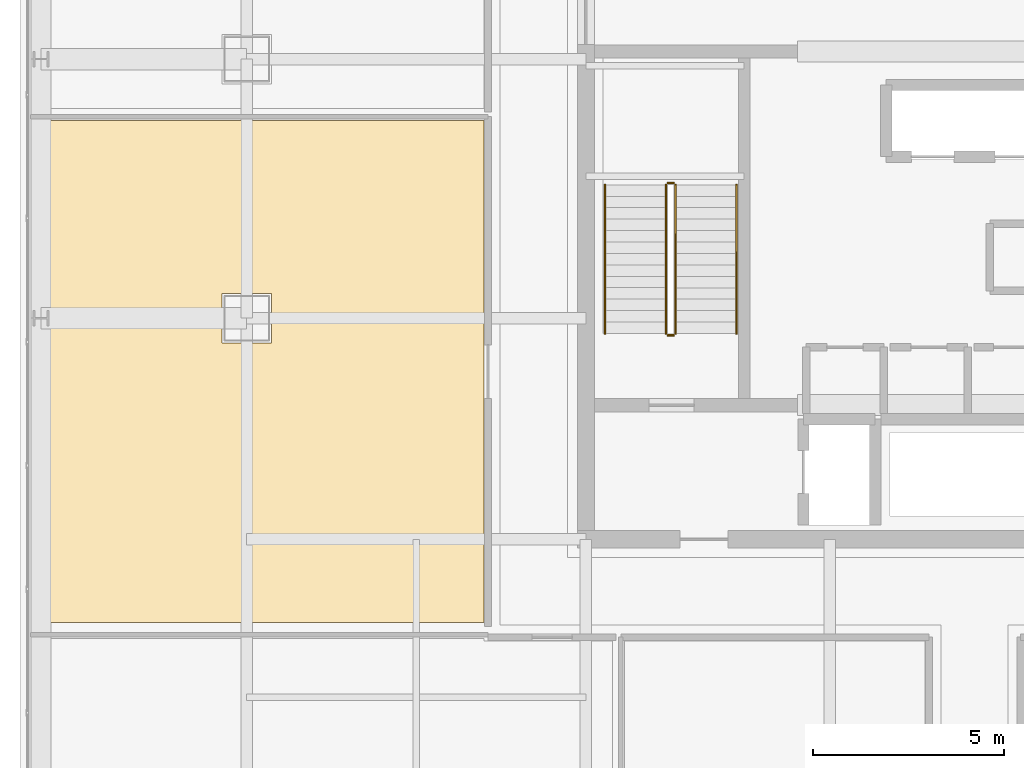
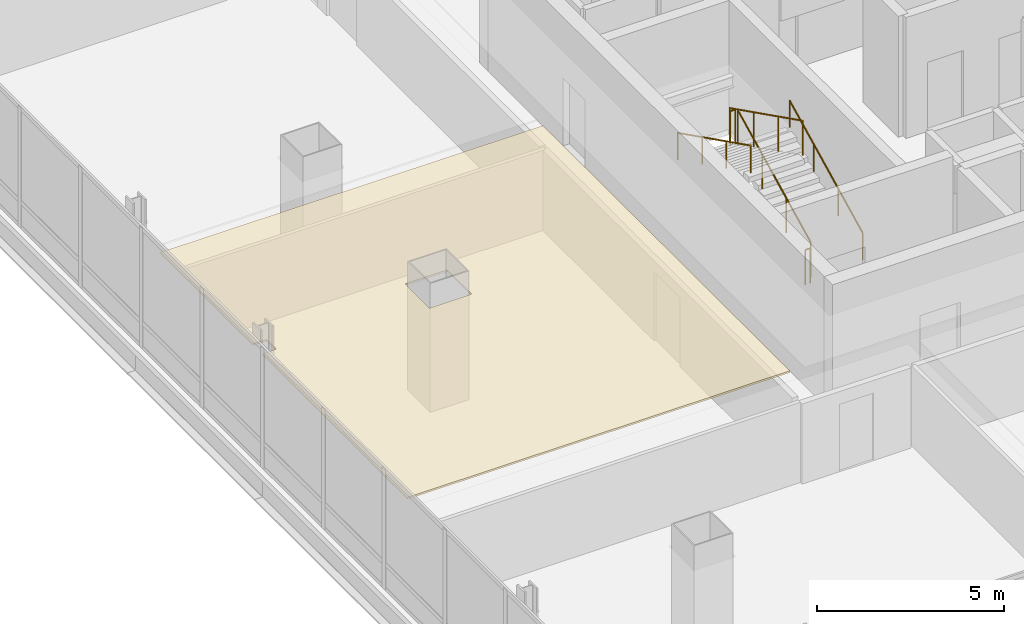
# One storey, part 41 of 46: 6 railings, 1 covering.
"""IFC4 building model written with IfcOpenShell, lengths in metres."""

import ifcopenshell
import ifcopenshell.guid

model = None  # the IFC model being written
_history = None  # IfcOwnerHistory: only IFC2X3 demands one
_inside = {}  # id of a spatial element -> (the spatial element, [elements in it])
_under = {}  # id of a project, library or spatial element -> (it, [spatial elements below it])
_declared = {}  # id of a project -> (the project, [libraries it declares])
_typed = {}  # id of a type object -> (the type object, [elements of that type])
_made_of = {}  # id of a material, layer set ... -> (it, [elements and type objects made of it])


def new_model(schema):
    """Start an empty IFC model of exactly this schema.

    Asked for "IFC4X3", IfcOpenShell would pick the latest addendum, in which some entities
    have other attributes; the version numbers below select the first issue.
    IFC2X3 requires an IfcOwnerHistory on every rooted entity: one is made here for all.
    """
    global model, _history
    if schema == "IFC4X3":
        model = ifcopenshell.file(schema_version=(4, 3, 0, 0))
    else:
        model = ifcopenshell.file(schema=schema)
    _inside.clear()
    _under.clear()
    _declared.clear()
    _typed.clear()
    _made_of.clear()
    _history = None
    if model.schema == "IFC2X3":
        org = make("IfcOrganization", Name="unknown")
        user = make(
            "IfcPersonAndOrganization",
            ThePerson=make("IfcPerson", FamilyName="unknown"),
            TheOrganization=org,
        )
        app = make(
            "IfcApplication",
            ApplicationDeveloper=org,
            Version="unknown",
            ApplicationFullName="unknown",
            ApplicationIdentifier="unknown",
        )
        _history = make(
            "IfcOwnerHistory",
            OwningUser=user,
            OwningApplication=app,
            ChangeAction="ADDED",
            CreationDate=0,
        )
    return model


def make(cls, **values):
    """One entity of the class cls with the attributes given. An attribute that is None is left unset."""
    return model.create_entity(
        cls, **{name: value for name, value in values.items() if value is not None}
    )


def rooted(cls, **values):
    """An entity with a GlobalId (a new one), such as an element, a storey or a relation."""
    return make(cls, GlobalId=ifcopenshell.guid.new(), OwnerHistory=_history, **values)


def si_unit(unit_type, name, prefix=None):
    """IfcSIUnit, for example si_unit("LENGTHUNIT", "METRE", prefix="MILLI")."""
    return make("IfcSIUnit", UnitType=unit_type, Prefix=prefix, Name=name)


def assignment(units):
    """IfcUnitAssignment: the units of a project."""
    return None if units is None else make("IfcUnitAssignment", Units=units)


def point(xyz):
    """IfcCartesianPoint."""
    return None if xyz is None else make("IfcCartesianPoint", Coordinates=xyz)


def direction(xyz):
    """IfcDirection."""
    return None if xyz is None else make("IfcDirection", DirectionRatios=xyz)


def frame(location, z_axis=None, x_axis=None):
    """IfcAxis2Placement3D, a coordinate frame: its origin and axes. An axis left out is left unset."""
    return make(
        "IfcAxis2Placement3D",
        Location=point(location),
        Axis=direction(z_axis),
        RefDirection=direction(x_axis),
    )


def frame_2d(location, x_axis=None):
    """IfcAxis2Placement2D, a coordinate frame in the plane: its origin and x axis."""
    return make(
        "IfcAxis2Placement2D", Location=point(location), RefDirection=direction(x_axis)
    )


def origin():
    """The frame at (0, 0, 0) with its axes left unset."""
    return frame((0.0, 0.0, 0.0))


def origin_2d():
    """The frame at (0, 0) in the plane with its x axis left unset."""
    return frame_2d((0.0, 0.0))


def place(relative_to, where):
    """IfcLocalPlacement: puts the frame where relative to a parent placement (None: the world)."""
    return make(
        "IfcLocalPlacement", PlacementRelTo=relative_to, RelativePlacement=where
    )


def context(
    kind, dimensions, precision=None, world=None, true_north=None, identifier=None
):
    """IfcGeometricRepresentationContext, for example the 3D "Model" context."""
    return make(
        "IfcGeometricRepresentationContext",
        ContextIdentifier=identifier,
        ContextType=kind,
        CoordinateSpaceDimension=dimensions,
        Precision=precision,
        WorldCoordinateSystem=world,
        TrueNorth=true_north,
    )


def subcontext(parent, identifier, kind, view, scale=None):
    """IfcGeometricRepresentationSubContext, for example "Body" below "Model"."""
    return make(
        "IfcGeometricRepresentationSubContext",
        ContextIdentifier=identifier,
        ContextType=kind,
        ParentContext=parent,
        TargetScale=scale,
        TargetView=view,
    )


def project(units=None, contexts=None):
    """IfcProject with its units and contexts."""
    return rooted(
        "IfcProject",
        Name="project",
        RepresentationContexts=contexts,
        UnitsInContext=assignment(units),
    )


def spatial(cls, under=None, at=None, **own):
    """A site, building, storey or space (cls), placed at a placement, below another one or the project."""
    s = rooted(cls, ObjectPlacement=at, **own)
    if under is not None:
        _under.setdefault(under.id(), (under, []))[1].append(s)
    return s


def polyline(points):
    """IfcPolyline through the points."""
    return make("IfcPolyline", Points=[point(p) for p in points])


def profile(cls, at=None, kind="AREA", **sizes):
    """A parametric profile (cls). Its sizes go by their IFC names, for example OverallWidth=200.0."""
    return make(cls, ProfileType=kind, Position=at, **sizes)


def circle(**sizes):
    """IfcCircleProfileDef."""
    return profile("IfcCircleProfileDef", **sizes)


def outline(outer, holes=None, kind="AREA"):
    """IfcArbitraryClosedProfileDef: a profile drawn as a closed curve; with holes, ...WithVoids."""
    if holes is None:
        return make("IfcArbitraryClosedProfileDef", ProfileType=kind, OuterCurve=outer)
    return make(
        "IfcArbitraryProfileDefWithVoids",
        ProfileType=kind,
        OuterCurve=outer,
        InnerCurves=holes,
    )


def extrude(swept, where, along, depth):
    """IfcExtrudedAreaSolid: the profile swept, set in the frame where, extruded along a direction by depth."""
    return make(
        "IfcExtrudedAreaSolid",
        SweptArea=swept,
        Position=where,
        ExtrudedDirection=direction(along),
        Depth=depth,
    )


def shape(context_of_items, identifier, shape_type, items):
    """IfcShapeRepresentation: the items that make up one representation, for example the "Body"."""
    return make(
        "IfcShapeRepresentation",
        ContextOfItems=context_of_items,
        RepresentationIdentifier=identifier,
        RepresentationType=shape_type,
        Items=items,
    )


def material(Name=None, Category=None):
    """IfcMaterial."""
    return make("IfcMaterial", Name=Name, Category=Category)


def layer(
    of_material, thickness, ventilated=None, Name=None, Category=None, Priority=None
):
    """IfcMaterialLayer: one layer of a wall or slab, of a material (None: an air gap)."""
    return make(
        "IfcMaterialLayer",
        Material=of_material,
        LayerThickness=thickness,
        IsVentilated=ventilated,
        Name=Name,
        Category=Category,
        Priority=Priority,
    )


def layer_set(layers, Name=None):
    """IfcMaterialLayerSet."""
    return make("IfcMaterialLayerSet", MaterialLayers=layers, LayerSetName=Name)


def made_of(thing, what):
    """Note that an element or type object is made of a material, layer set ...; save() writes the relation."""
    if what is not None:
        _made_of.setdefault(what.id(), (what, []))[1].append(thing)
    return thing


def type_object(cls, material=None, **own):
    """A type object (cls), such as IfcWallType, which elements share."""
    return made_of(rooted(cls, **own), material)


def element(
    cls,
    number,
    at=None,
    inside=None,
    cuts=None,
    type_object=None,
    material=None,
    context=None,
    identifier="Body",
    shape_type=None,
    held_by="IfcProductDefinitionShape",
    body=None,
    shapes=None,
    **own,
):
    """One element of the class cls, such as IfcWall. Its Tag is "e" and its number.

    at: its placement. inside: the storey or other place that contains it. cuts: it is an
    opening in that element (IfcRelVoidsElement). A single representation is given by context,
    identifier, shape_type and body (its items); several are given by shapes. held_by: the class
    of the entity that holds the representations. save() writes the other relations.
    """
    e = rooted(cls, Tag="e%d" % number, ObjectPlacement=at, **own)
    if body is not None:
        shapes = [shape(context, identifier, shape_type, body)]
    if shapes is not None:
        e.Representation = make(held_by, Representations=shapes)
    if inside is not None:
        _inside.setdefault(inside.id(), (inside, []))[1].append(e)
    if cuts is not None:
        rooted(
            "IfcRelVoidsElement", RelatingBuildingElement=cuts, RelatedOpeningElement=e
        )
    if type_object is not None:
        _typed.setdefault(type_object.id(), (type_object, []))[1].append(e)
    return made_of(e, material)


def aggregate(whole, parts):
    """IfcRelAggregates: a whole, such as a stair, and the parts it consists of."""
    return rooted("IfcRelAggregates", RelatingObject=whole, RelatedObjects=parts)


def save(model, path):
    """Write the relations noted so far, then the file.

    IfcRelAggregates (storeys below a building ...), IfcRelContainedInSpatialStructure (elements
    in a storey), IfcRelDefinesByType, IfcRelAssociatesMaterial and IfcRelDeclares: one each for
    every whole, place, type object, material and project.
    """
    for whole, parts in _under.values():
        aggregate(whole, parts)
    for where, things in _inside.values():
        rooted(
            "IfcRelContainedInSpatialStructure",
            RelatedElements=things,
            RelatingStructure=where,
        )
    for kind, things in _typed.values():
        rooted("IfcRelDefinesByType", RelatedObjects=things, RelatingType=kind)
    for what, things in _made_of.values():
        rooted("IfcRelAssociatesMaterial", RelatedObjects=things, RelatingMaterial=what)
    for by, libraries in _declared.values():
        rooted("IfcRelDeclares", RelatingContext=by, RelatedDefinitions=libraries)
    model.write(path)


model = new_model("IFC4")

# Units and contexts
model_context = context("Model", 3, precision=1e-05, world=origin(), true_north=direction((0.0, 1.0)))
body_context = subcontext(model_context, "Body", "Model", "MODEL_VIEW")
ifc_project = project(units=[si_unit("LENGTHUNIT", "METRE"), si_unit("AREAUNIT", "SQUARE_METRE"), si_unit("VOLUMEUNIT", "CUBIC_METRE"), si_unit("PLANEANGLEUNIT", "RADIAN"), si_unit("MASSUNIT", "GRAM", prefix="KILO")], contexts=[model_context])

# Site, building, storey
site_placement = place(None, origin())
site = spatial("IfcSite", under=ifc_project, at=site_placement, CompositionType="ELEMENT")
building_placement = place(site_placement, origin())
building = spatial("IfcBuilding", under=site, at=building_placement, Name="Punatoya Terracotta Tower", CompositionType="ELEMENT")
storey_placement = place(building_placement, frame((0.0, 0.0, 330.0)))
storey = spatial("IfcBuildingStorey", under=building, at=storey_placement, Name="L78", CompositionType="ELEMENT", Elevation=330.0)

# Covering
ifc_material_1 = material(Name="Acoustic Mineral Fibre Ceiling")
ifc_layer = layer(ifc_material_1, 0.06005859375)
ifc_layer_set = layer_set([ifc_layer], Name="Acoustic Mineral Fibre Ceiling")
covering_type = type_object("IfcCoveringType", Name="COV-CEIL-60", PredefinedType="CEILING", material=ifc_layer_set)
covering_placement = place(storey_placement, frame((0.0, 0.0, 3.389892578125)))
element("IfcCovering", 1, at=covering_placement, inside=storey, type_object=covering_type, Name="L78 Technical Seminar Room Acoustic Ceiling", PredefinedType="CEILING", context=body_context, shape_type="SweptSolid", body=[
    extrude(outline(polyline([(-24.669921875, -3.657958984375), (-24.669921875, -11.389892578125), (-12.8701171875, -11.389892578125), (-12.8701171875, 1.7900390625), (-24.669921875, 1.7900390625), (-24.669921875, -3.14208984375), (-24.2470703125, -3.14208984375), (-24.2470703125, -3.657958984375), (-24.669921875, -3.657958984375)]), holes=[polyline([(-18.449951171875, -4.050048828125), (-19.75, -4.050048828125), (-19.75, -2.75), (-18.449951171875, -2.75), (-18.449951171875, -4.050048828125)])]), origin(), (0.0, 0.0, 1.0), 0.06005859375),
])

# Railings
ifc_material_2 = material(Name="Steel S355", Category="steel")
railing_type_1 = type_object("IfcRailingType", Name="RLG-GRD-1150", PredefinedType="GUARDRAIL", material=ifc_material_2)
railing_1_placement = place(storey_placement, frame((-7.85009765625, -3.800048828125, 0.14990234375)))
element("IfcRailing", 2, at=railing_1_placement, inside=storey, type_object=railing_type_1, Name="L78 ST-1 stair guard 1", PredefinedType="GUARDRAIL", context=body_context, shape_type="SweptSolid", body=[
    extrude(circle(Radius=0.02392578125, at=origin_2d()), frame((0.0, 0.0, 1.1259765625), z_axis=(0.0, 0.894415993023, 0.447235990752), x_axis=(-1.0, 0.0, 0.0)), (0.0, 0.0, 1.0), 4.360595703125),
    extrude(circle(Radius=0.02099609375, at=origin_2d()), origin(), (0.0, 0.0, 1.0), 1.101806640625),
    extrude(circle(Radius=0.02099609375, at=origin_2d()), frame((0.0, 1.300048828125, 0.650146484375)), (0.0, 0.0, 1.0), 1.101806640625),
    extrude(circle(Radius=0.02099609375, at=origin_2d()), frame((0.0, 2.60009765625, 1.300048828125)), (0.0, 0.0, 1.0), 1.101806640625),
    extrude(circle(Radius=0.02099609375, at=origin_2d()), frame((0.0, 3.900146484375, 1.9501953125)), (0.0, 0.0, 1.0), 1.101806640625),
])
railing_2_placement = place(storey_placement, frame((-7.89990234375, 0.14990234375, 2.10009765625)))
element("IfcRailing", 3, at=railing_2_placement, inside=storey, type_object=railing_type_1, Name="L78 ST-1 stair guard 2", PredefinedType="GUARDRAIL", context=body_context, shape_type="SweptSolid", body=[
    extrude(circle(Radius=0.02392578125, at=origin_2d()), frame((0.0, 0.0, 1.1259765625), z_axis=(-1.0, 0.0, 0.0), x_axis=(0.0, -1.0, 0.0)), (0.0, 0.0, 1.0), 0.150146484375),
    extrude(circle(Radius=0.02099609375, at=origin_2d()), origin(), (0.0, 0.0, 1.0), 1.101806640625),
    extrude(circle(Radius=0.02099609375, at=origin_2d()), frame((-0.150146484375, 0.0, 0.0)), (0.0, 0.0, 1.0), 1.101806640625),
])
railing_3_placement = place(storey_placement, frame((-8.10009765625, 0.10009765625, 2.25)))
element("IfcRailing", 4, at=railing_3_placement, inside=storey, type_object=railing_type_1, Name="L78 ST-1 stair guard 3", PredefinedType="GUARDRAIL", context=body_context, shape_type="SweptSolid", body=[
    extrude(circle(Radius=0.02392578125, at=origin_2d()), frame((0.0, 0.0, 1.1259765625), z_axis=(0.0, -0.894438388696, 0.447191199406), x_axis=(1.0, 0.0, 0.0)), (0.0, 0.0, 1.0), 4.3603515625),
    extrude(circle(Radius=0.02099609375, at=origin_2d()), origin(), (0.0, 0.0, 1.0), 1.101806640625),
    extrude(circle(Radius=0.02099609375, at=origin_2d()), frame((0.0, -1.300048828125, 0.64990234375)), (0.0, 0.0, 1.0), 1.101806640625),
    extrude(circle(Radius=0.02099609375, at=origin_2d()), frame((0.0, -2.60009765625, 1.300048828125)), (0.0, 0.0, 1.0), 1.101806640625),
    extrude(circle(Radius=0.02099609375, at=origin_2d()), frame((0.0, -3.900146484375, 1.949951171875)), (0.0, 0.0, 1.0), 1.101806640625),
])
railing_4_placement = place(storey_placement, frame((-7.89990234375, -3.85009765625, 0.0)))
element("IfcRailing", 5, at=railing_4_placement, inside=storey, type_object=railing_type_1, Name="L78 ST-1 stair guard 4", PredefinedType="GUARDRAIL", context=body_context, shape_type="SweptSolid", body=[
    extrude(circle(Radius=0.02392578125, at=origin_2d()), frame((0.0, 0.0, 1.1259765625), z_axis=(-1.0, 0.0, 0.0), x_axis=(0.0, -1.0, 0.0)), (0.0, 0.0, 1.0), 0.150146484375),
    extrude(circle(Radius=0.02099609375, at=origin_2d()), origin(), (0.0, 0.0, 1.0), 1.101806640625),
    extrude(circle(Radius=0.02099609375, at=origin_2d()), frame((-0.150146484375, 0.0, 0.0)), (0.0, 0.0, 1.0), 1.101806640625),
])
railing_type_2 = type_object("IfcRailingType", Name="RLG-HND-900", PredefinedType="HANDRAIL", material=ifc_material_2)
railing_5_placement = place(storey_placement, frame((-6.25, -3.800048828125, 0.14990234375)))
element("IfcRailing", 6, at=railing_5_placement, inside=storey, type_object=railing_type_2, Name="L78 ST-1 stair handrail 1", PredefinedType="HANDRAIL", context=body_context, shape_type="SweptSolid", body=[
    extrude(circle(Radius=0.02392578125, at=origin_2d()), frame((0.0, 0.0, 0.8759765625), z_axis=(0.0, 0.894415993023, 0.447235990752), x_axis=(-1.0, 0.0, 0.0)), (0.0, 0.0, 1.0), 4.360595703125),
    extrude(circle(Radius=0.02099609375, at=origin_2d()), origin(), (0.0, 0.0, 1.0), 0.851806640625),
    extrude(circle(Radius=0.02099609375, at=origin_2d()), frame((0.0, 1.300048828125, 0.650146484375)), (0.0, 0.0, 1.0), 0.851806640625),
    extrude(circle(Radius=0.02099609375, at=origin_2d()), frame((0.0, 2.60009765625, 1.300048828125)), (0.0, 0.0, 1.0), 0.851806640625),
    extrude(circle(Radius=0.02099609375, at=origin_2d()), frame((0.0, 3.900146484375, 1.9501953125)), (0.0, 0.0, 1.0), 0.851806640625),
])
railing_6_placement = place(storey_placement, frame((-9.699951171875, 0.10009765625, 2.25)))
element("IfcRailing", 7, at=railing_6_placement, inside=storey, type_object=railing_type_2, Name="L78 ST-1 stair handrail 2", PredefinedType="HANDRAIL", context=body_context, shape_type="SweptSolid", body=[
    extrude(circle(Radius=0.02392578125, at=origin_2d()), frame((0.0, 0.0, 0.8759765625), z_axis=(0.0, -0.894438388696, 0.447191199406), x_axis=(1.0, 0.0, 0.0)), (0.0, 0.0, 1.0), 4.3603515625),
    extrude(circle(Radius=0.02099609375, at=origin_2d()), origin(), (0.0, 0.0, 1.0), 0.851806640625),
    extrude(circle(Radius=0.02099609375, at=origin_2d()), frame((0.0, -1.300048828125, 0.64990234375)), (0.0, 0.0, 1.0), 0.851806640625),
    extrude(circle(Radius=0.02099609375, at=origin_2d()), frame((0.0, -2.60009765625, 1.300048828125)), (0.0, 0.0, 1.0), 0.851806640625),
    extrude(circle(Radius=0.02099609375, at=origin_2d()), frame((0.0, -3.900146484375, 1.949951171875)), (0.0, 0.0, 1.0), 0.851806640625),
])

save(model, "model.ifc")
